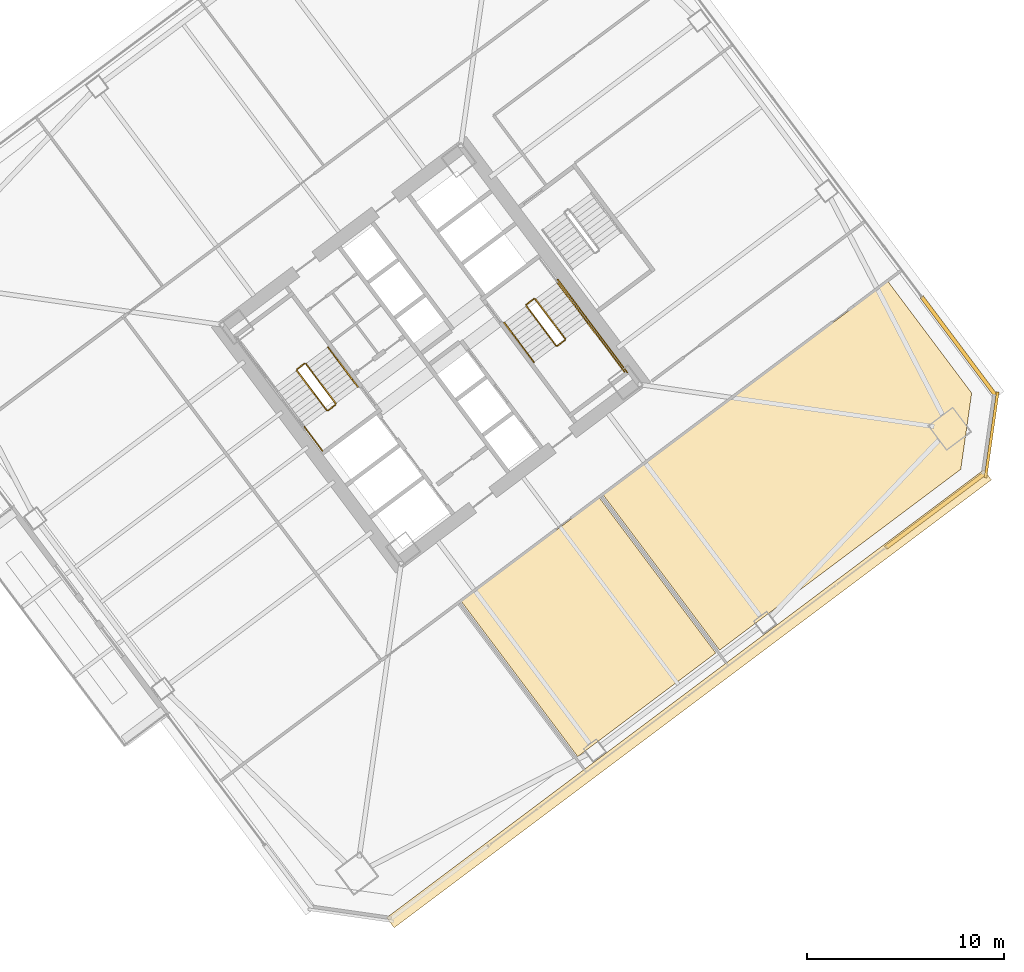
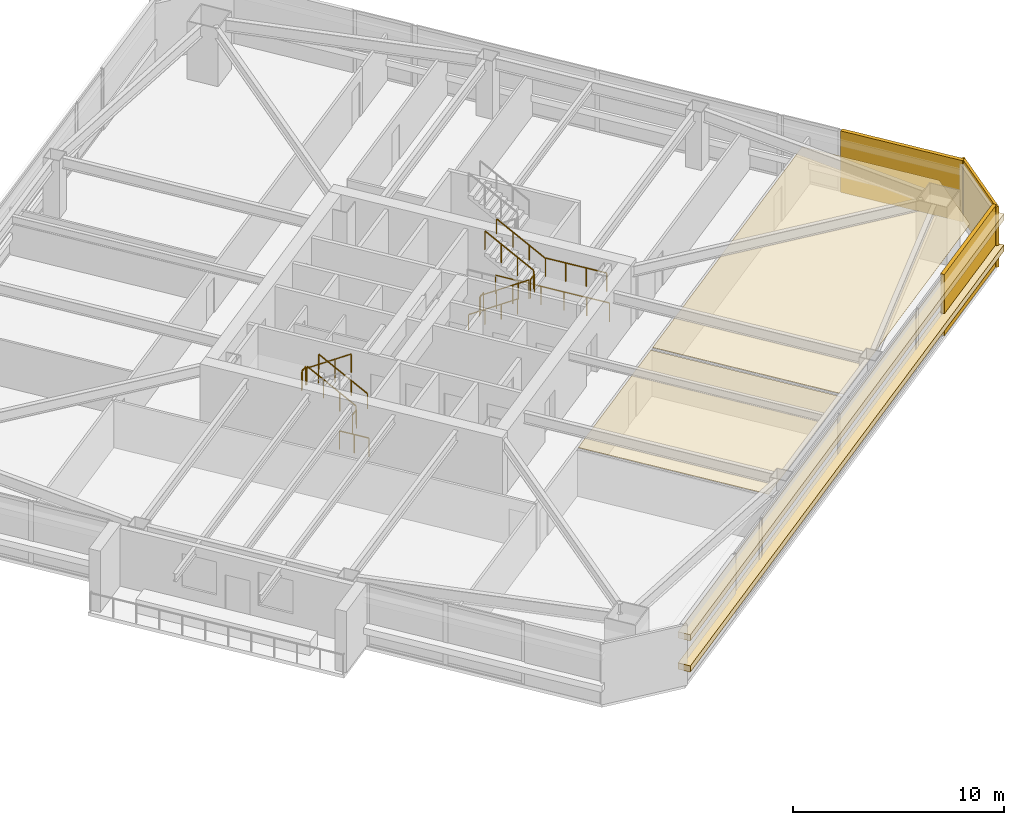
# One storey, part 44 of 46: 14 railings, 7 coverings.
"""IFC4 building model written with IfcOpenShell, lengths in metres."""

from ifc_helpers import new_model, si_unit, direction, frame, origin, origin_2d, place, context, subcontext, project, spatial, polyline, rectangle, outline, extrude, material, layer, layer_set, type_object, element, save


model = new_model("IFC4")

# Units and contexts
model_context = context("Model", 3, precision=1e-05, world=origin(), true_north=direction((0.0, 1.0)))
body_context = subcontext(model_context, "Body", "Model", "MODEL_VIEW")
ifc_project = project(units=[si_unit("LENGTHUNIT", "METRE"), si_unit("AREAUNIT", "SQUARE_METRE"), si_unit("VOLUMEUNIT", "CUBIC_METRE"), si_unit("PLANEANGLEUNIT", "RADIAN"), si_unit("MASSUNIT", "GRAM", prefix="KILO")], contexts=[model_context])

# Site, building, storey
site_placement = place(None, origin())
site = spatial("IfcSite", under=ifc_project, at=site_placement, CompositionType="ELEMENT")
building_placement = place(site_placement, origin())
building = spatial("IfcBuilding", under=site, at=building_placement, Name="Tashvorn Skyway Center", CompositionType="ELEMENT")
storey_placement = place(building_placement, frame((0.0, 0.0, 60.10009765625)))
storey = spatial("IfcBuildingStorey", under=building, at=storey_placement, Name="L15", CompositionType="ELEMENT", Elevation=60.10009765625)

# Coverings
ifc_material_1 = material(Name="Precast concrete C40/50", Category="concrete")
ifc_layer_1 = layer(ifc_material_1, 0.199951171875)
ifc_layer_set_1 = layer_set([ifc_layer_1], Name="Precast concrete C40/50")
covering_type_1 = type_object("IfcCoveringType", Name="COV-BRACE-CLAD", PredefinedType="CLADDING", material=ifc_layer_set_1)
for number, where, z_axis, x_axis, name in (
    (1, (139.5947265625, 24.095947265625, 0.0), (0.0, 0.0, 1.0), (-0.799999996291, -0.600000004945, 0.0), "Tower 2 L15 South Unitised Curtain Wall Mega-Brace Cladding Band 1"),
    (2, (140.783935546875, 32.42138671875, 0.0), (0.0, 0.0, 1.0), (0.600000004945, -0.799999996291, 0.0), "Tower 2 L15 East Unitised Curtain Wall Mega-Brace Cladding Band 2"),
):
    element("IfcCovering", number, at=place(storey_placement, frame(where, z_axis=z_axis, x_axis=x_axis)), inside=storey, type_object=covering_type_1, Name=name, PredefinedType="CLADDING", context=body_context, shape_type="SweptSolid", body=[
        extrude(rectangle(XDim=6.29345703125, YDim=0.199951171875, at=origin_2d()), origin(), (0.0, 0.0, 1.0), 3.550048828125),
    ])
ifc_material_2 = material(Name="Mineral-fibre acoustic ceiling tile on suspended grid")
ifc_layer_2 = layer(ifc_material_2, 0.02001953125)
ifc_layer_set_2 = layer_set([ifc_layer_2], Name="Mineral-fibre acoustic ceiling tile on suspended grid")
covering_type_2 = type_object("IfcCoveringType", Name="COV-CEIL-20", PredefinedType="CEILING", material=ifc_layer_set_2)
covering_1_placement = place(storey_placement, frame((0.0, 0.0, 2.682861328125)))
element("IfcCovering", 3, at=covering_1_placement, inside=storey, type_object=covering_type_2, Name="Tower 2 L15 Boardroom Acoustic Ceiling", PredefinedType="CEILING", context=body_context, shape_type="SweptSolid", body=[
    extrude(outline(polyline([(115.5400390625, 19.47998046875), (122.548095703125, 24.736083984375), (128.451904296875, 16.864013671875), (121.444091796875, 11.60791015625), (115.5400390625, 19.47998046875)])), origin(), (0.0, 0.0, 1.0), 0.02001953125),
])
covering_2_placement = place(storey_placement, frame((0.0, 0.0, 2.682861328125)))
element("IfcCovering", 4, at=covering_2_placement, inside=storey, type_object=covering_type_2, Name="Tower 2 L15 Boardroom Acoustic Ceiling", PredefinedType="CEILING", context=body_context, shape_type="SweptSolid", body=[
    extrude(outline(polyline([(128.64404296875, 17.008056640625), (122.739990234375, 24.8798828125), (137.18798828125, 35.716064453125), (141.43603515625, 30.052001953125), (140.884033203125, 26.18798828125), (128.64404296875, 17.008056640625)])), origin(), (0.0, 0.0, 1.0), 0.02001953125),
])
ifc_material_3 = material(Name="Perforated ceramic-coated bronze aluminium solar screen", Category="aluminium")
ifc_layer_3 = layer(ifc_material_3, 0.85009765625)
ifc_layer_set_3 = layer_set([ifc_layer_3], Name="Perforated ceramic-coated bronze aluminium solar screen")
covering_type_3 = type_object("IfcCoveringType", Name="COV-SOLAR-BAND", PredefinedType="CLADDING", material=ifc_layer_set_3)
for number, where, z_axis, x_axis, name in (
    (5, (127.092041015625, 14.5439453125, 0.919921875), (0.0, 0.0, 1.0), (-0.799999996291, -0.600000004945, 0.0), "L15 Perforated Ceramic-Metal Solar Screen Louvre Band South 1"),
    (6, (127.092041015625, 14.5439453125, 2.7197265625), (0.0, 0.0, 1.0), (-0.799999996291, -0.600000004945, 0.0), "L15 Perforated Ceramic-Metal Solar Screen Louvre Band South 2"),
):
    element("IfcCovering", number, at=place(storey_placement, frame(where, z_axis=z_axis, x_axis=x_axis)), inside=storey, type_object=covering_type_3, Name=name, PredefinedType="CLADDING", context=body_context, shape_type="SweptSolid", body=[
        extrude(rectangle(XDim=37.8798828125, YDim=0.639892578125, at=origin_2d()), origin(), (0.0, 0.0, 1.0), 0.360107421875),
    ])
ifc_layer_4 = layer(ifc_material_1, 0.35009765625)
ifc_layer_set_4 = layer_set([ifc_layer_4], Name="Precast concrete C40/50")
covering_type_4 = type_object("IfcCoveringType", Name="COV-STONE-TRIM", PredefinedType="CLADDING", material=ifc_layer_set_4)
covering_3_placement = place(storey_placement, frame((142.447998046875, 27.93603515625, 0.02001953125), z_axis=(0.0, 0.0, 1.0), x_axis=(0.141421350118, 0.989949494535, 0.0)))
element("IfcCovering", 7, at=covering_3_placement, inside=storey, type_object=covering_type_4, Name="Tower 2 L15 SE Mojave Limestone Corner Quoin", PredefinedType="CLADDING", context=body_context, shape_type="SweptSolid", body=[
    extrude(rectangle(XDim=4.402587890625, YDim=0.139892578125, at=origin_2d()), origin(), (0.0, 0.0, 1.0), 3.510009765625),
])

# Railings
ifc_material_4 = material(Name="Brushed stainless steel 316", Category="steel")
railing_type_1 = type_object("IfcRailingType", Name="RAIL-HAND-920", PredefinedType="HANDRAIL", material=ifc_material_4)
railing_1_placement = place(storey_placement, frame((110.2880859375, 30.365966796875, 0.177490234375)))
element("IfcRailing", 8, at=railing_1_placement, inside=storey, type_object=railing_type_1, Name="L15 ST-T2-1 stair handrail 1", PredefinedType="HANDRAIL", context=body_context, shape_type="SweptSolid", body=[
    extrude(rectangle(XDim=0.048095703125, YDim=0.048095703125, at=origin_2d()), frame((0.0, 0.0, 0.8759765625), z_axis=(-0.506801609611, 0.675680931896, 0.535357270211), x_axis=(-0.799976749893, -0.600030998891, 0.0)), (0.0, 0.0, 1.0), 2.98388671875),
    extrude(rectangle(XDim=0.0419921875, YDim=0.0419921875, at=origin_2d()), origin(), (0.0, 0.0, 1.0), 0.851806640625),
    extrude(rectangle(XDim=0.0419921875, YDim=0.0419921875, at=origin_2d()), frame((-0.504150390625, 0.672119140625, 0.532470703125)), (0.0, 0.0, 1.0), 0.851806640625),
    extrude(rectangle(XDim=0.0419921875, YDim=0.0419921875, at=origin_2d()), frame((-1.008056640625, 1.343994140625, 1.06494140625)), (0.0, 0.0, 1.0), 0.851806640625),
    extrude(rectangle(XDim=0.0419921875, YDim=0.0419921875, at=origin_2d()), frame((-1.51220703125, 2.01611328125, 1.597412109375)), (0.0, 0.0, 1.0), 0.851806640625),
])
railing_2_placement = place(storey_placement, frame((117.7119140625, 33.634033203125, 0.177490234375)))
element("IfcRailing", 9, at=railing_2_placement, inside=storey, type_object=railing_type_1, Name="L15 ST-T2-2 stair handrail 1", PredefinedType="HANDRAIL", context=body_context, shape_type="SweptSolid", body=[
    extrude(rectangle(XDim=0.048095703125, YDim=0.048095703125, at=origin_2d()), frame((0.0, 0.0, 0.8759765625), z_axis=(0.506801609611, -0.675680931896, 0.535357270211), x_axis=(0.799976749893, 0.600030998891, 0.0)), (0.0, 0.0, 1.0), 2.98388671875),
    extrude(rectangle(XDim=0.0419921875, YDim=0.0419921875, at=origin_2d()), origin(), (0.0, 0.0, 1.0), 0.851806640625),
    extrude(rectangle(XDim=0.0419921875, YDim=0.0419921875, at=origin_2d()), frame((0.504150390625, -0.672119140625, 0.532470703125)), (0.0, 0.0, 1.0), 0.851806640625),
    extrude(rectangle(XDim=0.0419921875, YDim=0.0419921875, at=origin_2d()), frame((1.008056640625, -1.343994140625, 1.06494140625)), (0.0, 0.0, 1.0), 0.851806640625),
    extrude(rectangle(XDim=0.0419921875, YDim=0.0419921875, at=origin_2d()), frame((1.51220703125, -2.01611328125, 1.597412109375)), (0.0, 0.0, 1.0), 0.851806640625),
])
railing_3_placement = place(storey_placement, frame((121.927978515625, 33.64599609375, 1.952392578125)))
element("IfcRailing", 10, at=railing_3_placement, inside=storey, type_object=railing_type_1, Name="L15 ST-T2-2 stair handrail 2", PredefinedType="HANDRAIL", context=body_context, shape_type="SweptSolid", body=[
    extrude(rectangle(XDim=0.048095703125, YDim=0.048095703125, at=origin_2d()), frame((0.0, 0.0, 0.8759765625), z_axis=(-0.506740800098, 0.675708949977, 0.535379469569), x_axis=(-0.800023250257, -0.599968998406, 0.0)), (0.0, 0.0, 1.0), 2.983642578125),
    extrude(rectangle(XDim=0.0419921875, YDim=0.0419921875, at=origin_2d()), origin(), (0.0, 0.0, 1.0), 0.851806640625),
    extrude(rectangle(XDim=0.0419921875, YDim=0.0419921875, at=origin_2d()), frame((-0.50390625, 0.672119140625, 0.532470703125)), (0.0, 0.0, 1.0), 0.851806640625),
    extrude(rectangle(XDim=0.0419921875, YDim=0.0419921875, at=origin_2d()), frame((-1.008056640625, 1.343994140625, 1.06494140625)), (0.0, 0.0, 1.0), 0.851806640625),
    extrude(rectangle(XDim=0.0419921875, YDim=0.0419921875, at=origin_2d()), frame((-1.511962890625, 2.01611328125, 1.597412109375)), (0.0, 0.0, 1.0), 0.851806640625),
])
ifc_material_5 = material(Name="Painted galvanized steel S355", Category="steel")
railing_type_2 = type_object("IfcRailingType", Name="RAIL-STGUARD-1100", PredefinedType="GUARDRAIL", material=ifc_material_5)
railing_4_placement = place(storey_placement, frame((109.16796875, 29.52587890625, 0.177490234375)))
element("IfcRailing", 11, at=railing_4_placement, inside=storey, type_object=railing_type_2, Name="L15 ST-T2-1 stair guard 1", PredefinedType="GUARDRAIL", context=body_context, shape_type="SweptSolid", body=[
    extrude(rectangle(XDim=0.048095703125, YDim=0.048095703125, at=origin_2d()), frame((0.0, 0.0, 1.076171875), z_axis=(-0.506740800098, 0.675708949977, 0.535379469569), x_axis=(-0.800023250257, -0.599968998406, 0.0)), (0.0, 0.0, 1.0), 2.983642578125),
    extrude(rectangle(XDim=0.0419921875, YDim=0.0419921875, at=origin_2d()), origin(), (0.0, 0.0, 1.0), 1.052001953125),
    extrude(rectangle(XDim=0.0419921875, YDim=0.0419921875, at=origin_2d()), frame((-0.50390625, 0.672119140625, 0.532470703125)), (0.0, 0.0, 1.0), 1.052001953125),
    extrude(rectangle(XDim=0.0419921875, YDim=0.0419921875, at=origin_2d()), frame((-1.008056640625, 1.343994140625, 1.06494140625)), (0.0, 0.0, 1.0), 1.052001953125),
    extrude(rectangle(XDim=0.0419921875, YDim=0.0419921875, at=origin_2d()), frame((-1.511962890625, 2.01611328125, 1.597412109375)), (0.0, 0.0, 1.0), 1.052001953125),
])
railing_5_placement = place(storey_placement, frame((107.5859375, 31.552001953125, 1.77490234375)))
element("IfcRailing", 12, at=railing_5_placement, inside=storey, type_object=railing_type_2, Name="L15 ST-T2-1 stair guard 2", PredefinedType="GUARDRAIL", context=body_context, shape_type="SweptSolid", body=[
    extrude(rectangle(XDim=0.048095703125, YDim=0.048095703125, at=origin_2d()), frame((0.0, 0.0, 1.076171875), z_axis=(-0.799938970639, -0.600081363861, 0.0), x_axis=(0.600081363861, -0.799938970639, 0.0)), (0.0, 0.0, 1.0), 0.47998046875),
    extrude(rectangle(XDim=0.0419921875, YDim=0.0419921875, at=origin_2d()), origin(), (0.0, 0.0, 1.0), 1.052001953125),
    extrude(rectangle(XDim=0.0419921875, YDim=0.0419921875, at=origin_2d()), frame((-0.384033203125, -0.2880859375, 0.0)), (0.0, 0.0, 1.0), 1.052001953125),
])
railing_6_placement = place(storey_placement, frame((107.19189453125, 31.194091796875, 1.952392578125)))
element("IfcRailing", 13, at=railing_6_placement, inside=storey, type_object=railing_type_2, Name="L15 ST-T2-1 stair guard 4", PredefinedType="GUARDRAIL", context=body_context, shape_type="SweptSolid", body=[
    extrude(rectangle(XDim=0.048095703125, YDim=0.048095703125, at=origin_2d()), frame((0.0, 0.0, 1.076171875), z_axis=(0.506801609611, -0.675680931896, 0.535357270211), x_axis=(0.799976749893, 0.600030998891, 0.0)), (0.0, 0.0, 1.0), 2.98388671875),
    extrude(rectangle(XDim=0.0419921875, YDim=0.0419921875, at=origin_2d()), origin(), (0.0, 0.0, 1.0), 1.052001953125),
    extrude(rectangle(XDim=0.0419921875, YDim=0.0419921875, at=origin_2d()), frame((0.504150390625, -0.672119140625, 0.532470703125)), (0.0, 0.0, 1.0), 1.052001953125),
    extrude(rectangle(XDim=0.0419921875, YDim=0.0419921875, at=origin_2d()), frame((1.008056640625, -1.343994140625, 1.06494140625)), (0.0, 0.0, 1.0), 1.052001953125),
    extrude(rectangle(XDim=0.0419921875, YDim=0.0419921875, at=origin_2d()), frame((1.51220703125, -2.01611328125, 1.597412109375)), (0.0, 0.0, 1.0), 1.052001953125),
])
railing_7_placement = place(storey_placement, frame((109.157958984375, 29.4560546875, 0.0)))
element("IfcRailing", 14, at=railing_7_placement, inside=storey, type_object=railing_type_2, Name="L15 ST-T2-1 stair guard 5", PredefinedType="GUARDRAIL", context=body_context, shape_type="SweptSolid", body=[
    extrude(rectangle(XDim=0.048095703125, YDim=0.048095703125, at=origin_2d()), frame((0.0, 0.0, 1.076171875), z_axis=(-0.799938970639, -0.600081363861, 0.0), x_axis=(0.600081363861, -0.799938970639, 0.0)), (0.0, 0.0, 1.0), 0.47998046875),
    extrude(rectangle(XDim=0.0419921875, YDim=0.0419921875, at=origin_2d()), origin(), (0.0, 0.0, 1.0), 1.052001953125),
    extrude(rectangle(XDim=0.0419921875, YDim=0.0419921875, at=origin_2d()), frame((-0.384033203125, -0.2880859375, 0.0)), (0.0, 0.0, 1.0), 1.052001953125),
])
railing_8_placement = place(storey_placement, frame((108.49609375, 27.1220703125, 0.0)))
element("IfcRailing", 15, at=railing_8_placement, inside=storey, type_object=railing_type_2, Name="L15 ST-T2-1 stair guard 6", PredefinedType="GUARDRAIL", context=body_context, shape_type="SweptSolid", body=[
    extrude(rectangle(XDim=0.048095703125, YDim=0.048095703125, at=origin_2d()), frame((0.0, 0.0, 1.076171875), z_axis=(-0.600102796382, 0.799922892393, 0.0), x_axis=(-0.799922892393, -0.600102796382, 0.0)), (0.0, 0.0, 1.0), 1.52001953125),
    extrude(rectangle(XDim=0.0419921875, YDim=0.0419921875, at=origin_2d()), origin(), (0.0, 0.0, 1.0), 1.052001953125),
    extrude(rectangle(XDim=0.0419921875, YDim=0.0419921875, at=origin_2d()), frame((-0.4560546875, 0.60791015625, 0.0)), (0.0, 0.0, 1.0), 1.052001953125),
    extrude(rectangle(XDim=0.0419921875, YDim=0.0419921875, at=origin_2d()), frame((-0.912109375, 1.2158203125, 0.0)), (0.0, 0.0, 1.0), 1.052001953125),
])
railing_9_placement = place(storey_placement, frame((118.83203125, 34.47412109375, 0.177490234375)))
element("IfcRailing", 16, at=railing_9_placement, inside=storey, type_object=railing_type_2, Name="L15 ST-T2-2 stair guard 1", PredefinedType="GUARDRAIL", context=body_context, shape_type="SweptSolid", body=[
    extrude(rectangle(XDim=0.048095703125, YDim=0.048095703125, at=origin_2d()), frame((0.0, 0.0, 1.076171875), z_axis=(0.506740800098, -0.675708949977, 0.535379469569), x_axis=(0.800023250257, 0.599968998406, 0.0)), (0.0, 0.0, 1.0), 2.983642578125),
    extrude(rectangle(XDim=0.0419921875, YDim=0.0419921875, at=origin_2d()), origin(), (0.0, 0.0, 1.0), 1.052001953125),
    extrude(rectangle(XDim=0.0419921875, YDim=0.0419921875, at=origin_2d()), frame((0.50390625, -0.672119140625, 0.532470703125)), (0.0, 0.0, 1.0), 1.052001953125),
    extrude(rectangle(XDim=0.0419921875, YDim=0.0419921875, at=origin_2d()), frame((1.008056640625, -1.343994140625, 1.06494140625)), (0.0, 0.0, 1.0), 1.052001953125),
    extrude(rectangle(XDim=0.0419921875, YDim=0.0419921875, at=origin_2d()), frame((1.511962890625, -2.01611328125, 1.597412109375)), (0.0, 0.0, 1.0), 1.052001953125),
])
railing_10_placement = place(storey_placement, frame((120.4140625, 32.447998046875, 1.77490234375)))
element("IfcRailing", 17, at=railing_10_placement, inside=storey, type_object=railing_type_2, Name="L15 ST-T2-2 stair guard 2", PredefinedType="GUARDRAIL", context=body_context, shape_type="SweptSolid", body=[
    extrude(rectangle(XDim=0.048095703125, YDim=0.048095703125, at=origin_2d()), frame((0.0, 0.0, 1.076171875), z_axis=(0.799938970639, 0.600081363861, 0.0), x_axis=(-0.600081363861, 0.799938970639, 0.0)), (0.0, 0.0, 1.0), 0.47998046875),
    extrude(rectangle(XDim=0.0419921875, YDim=0.0419921875, at=origin_2d()), origin(), (0.0, 0.0, 1.0), 1.052001953125),
    extrude(rectangle(XDim=0.0419921875, YDim=0.0419921875, at=origin_2d()), frame((0.384033203125, 0.2880859375, 0.0)), (0.0, 0.0, 1.0), 1.052001953125),
])
railing_11_placement = place(storey_placement, frame((121.927978515625, 33.64599609375, 1.77490234375)))
element("IfcRailing", 18, at=railing_11_placement, inside=storey, type_object=railing_type_2, Name="L15 ST-T2-2 stair guard 3", PredefinedType="GUARDRAIL", context=body_context, shape_type="SweptSolid", body=[
    extrude(rectangle(XDim=0.048095703125, YDim=0.048095703125, at=origin_2d()), frame((0.0, 0.0, 1.076171875), z_axis=(0.599987638607, -0.800009270896, 0.0), x_axis=(0.800009270896, 0.599987638607, 0.0)), (0.0, 0.0, 1.0), 3.16015625),
    extrude(rectangle(XDim=0.0419921875, YDim=0.0419921875, at=origin_2d()), origin(), (0.0, 0.0, 1.0), 1.052001953125),
    extrude(rectangle(XDim=0.0419921875, YDim=0.0419921875, at=origin_2d()), frame((0.632080078125, -0.8427734375, 0.0)), (0.0, 0.0, 1.0), 1.052001953125),
    extrude(rectangle(XDim=0.0419921875, YDim=0.0419921875, at=origin_2d()), frame((1.263916015625, -1.685302734375, 0.0)), (0.0, 0.0, 1.0), 1.052001953125),
    extrude(rectangle(XDim=0.0419921875, YDim=0.0419921875, at=origin_2d()), frame((1.89599609375, -2.528076171875, 0.0)), (0.0, 0.0, 1.0), 1.052001953125),
])
railing_12_placement = place(storey_placement, frame((120.80810546875, 32.805908203125, 1.952392578125)))
element("IfcRailing", 19, at=railing_12_placement, inside=storey, type_object=railing_type_2, Name="L15 ST-T2-2 stair guard 4", PredefinedType="GUARDRAIL", context=body_context, shape_type="SweptSolid", body=[
    extrude(rectangle(XDim=0.048095703125, YDim=0.048095703125, at=origin_2d()), frame((0.0, 0.0, 1.076171875), z_axis=(-0.506801609611, 0.675680931896, 0.535357270211), x_axis=(-0.799976749893, -0.600030998891, 0.0)), (0.0, 0.0, 1.0), 2.98388671875),
    extrude(rectangle(XDim=0.0419921875, YDim=0.0419921875, at=origin_2d()), origin(), (0.0, 0.0, 1.0), 1.052001953125),
    extrude(rectangle(XDim=0.0419921875, YDim=0.0419921875, at=origin_2d()), frame((-0.504150390625, 0.672119140625, 0.532470703125)), (0.0, 0.0, 1.0), 1.052001953125),
    extrude(rectangle(XDim=0.0419921875, YDim=0.0419921875, at=origin_2d()), frame((-1.008056640625, 1.343994140625, 1.06494140625)), (0.0, 0.0, 1.0), 1.052001953125),
    extrude(rectangle(XDim=0.0419921875, YDim=0.0419921875, at=origin_2d()), frame((-1.51220703125, 2.01611328125, 1.597412109375)), (0.0, 0.0, 1.0), 1.052001953125),
])
railing_13_placement = place(storey_placement, frame((118.842041015625, 34.5439453125, 0.0)))
element("IfcRailing", 20, at=railing_13_placement, inside=storey, type_object=railing_type_2, Name="L15 ST-T2-2 stair guard 5", PredefinedType="GUARDRAIL", context=body_context, shape_type="SweptSolid", body=[
    extrude(rectangle(XDim=0.048095703125, YDim=0.048095703125, at=origin_2d()), frame((0.0, 0.0, 1.076171875), z_axis=(0.799938970639, 0.600081363861, 0.0), x_axis=(-0.600081363861, 0.799938970639, 0.0)), (0.0, 0.0, 1.0), 0.47998046875),
    extrude(rectangle(XDim=0.0419921875, YDim=0.0419921875, at=origin_2d()), origin(), (0.0, 0.0, 1.0), 1.052001953125),
    extrude(rectangle(XDim=0.0419921875, YDim=0.0419921875, at=origin_2d()), frame((0.384033203125, 0.2880859375, 0.0)), (0.0, 0.0, 1.0), 1.052001953125),
])
railing_14_placement = place(storey_placement, frame((120.43603515625, 35.802001953125, 0.0)))
element("IfcRailing", 21, at=railing_14_placement, inside=storey, type_object=railing_type_2, Name="L15 ST-T2-2 stair guard 7", PredefinedType="GUARDRAIL", context=body_context, shape_type="SweptSolid", body=[
    extrude(rectangle(XDim=0.048095703125, YDim=0.048095703125, at=origin_2d()), frame((0.0, 0.0, 1.076171875), z_axis=(0.6, -0.8, 0.0), x_axis=(0.8, 0.6, 0.0)), (0.0, 0.0, 1.0), 5.880126953125),
    extrude(rectangle(XDim=0.0419921875, YDim=0.0419921875, at=origin_2d()), origin(), (0.0, 0.0, 1.0), 1.052001953125),
    extrude(rectangle(XDim=0.0419921875, YDim=0.0419921875, at=origin_2d()), frame((0.70556640625, -0.94091796875, 0.0)), (0.0, 0.0, 1.0), 1.052001953125),
    extrude(rectangle(XDim=0.0419921875, YDim=0.0419921875, at=origin_2d()), frame((1.4111328125, -1.881591796875, 0.0)), (0.0, 0.0, 1.0), 1.052001953125),
    extrude(rectangle(XDim=0.0419921875, YDim=0.0419921875, at=origin_2d()), frame((2.116943359375, -2.822509765625, 0.0)), (0.0, 0.0, 1.0), 1.052001953125),
    extrude(rectangle(XDim=0.0419921875, YDim=0.0419921875, at=origin_2d()), frame((2.822509765625, -3.76318359375, 0.0)), (0.0, 0.0, 1.0), 1.052001953125),
    extrude(rectangle(XDim=0.0419921875, YDim=0.0419921875, at=origin_2d()), frame((3.528076171875, -4.7041015625, 0.0)), (0.0, 0.0, 1.0), 1.052001953125),
])

save(model, "model.ifc")
